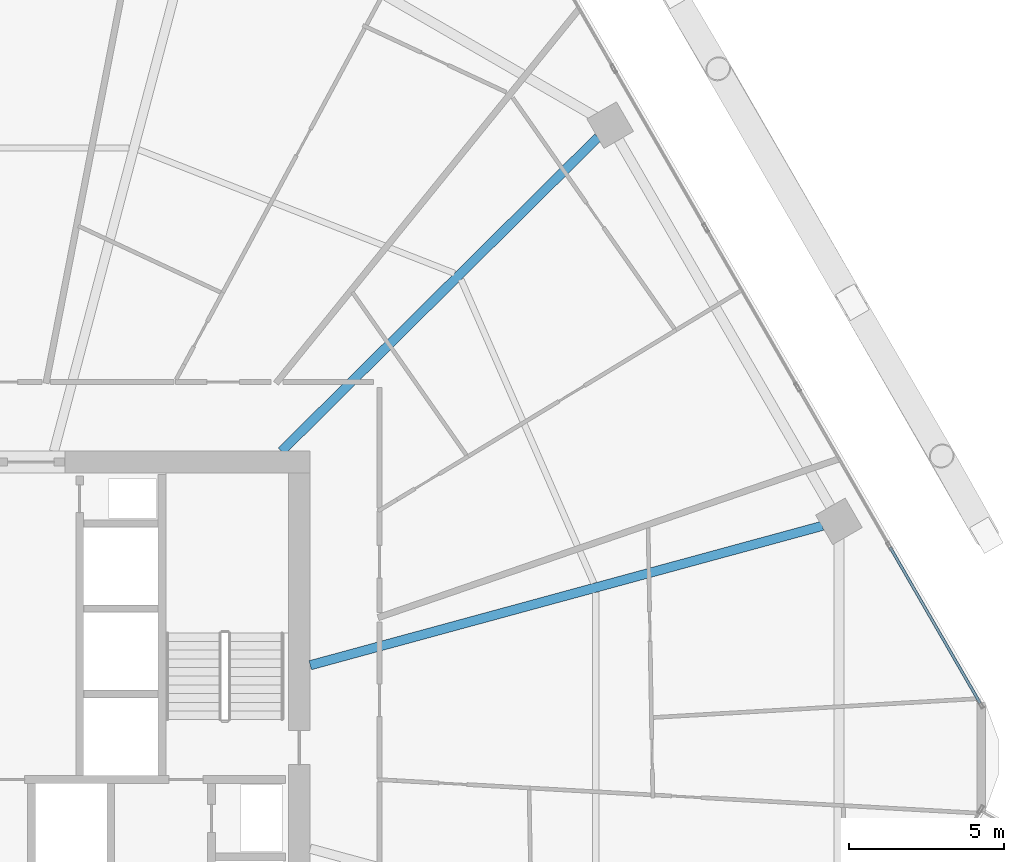
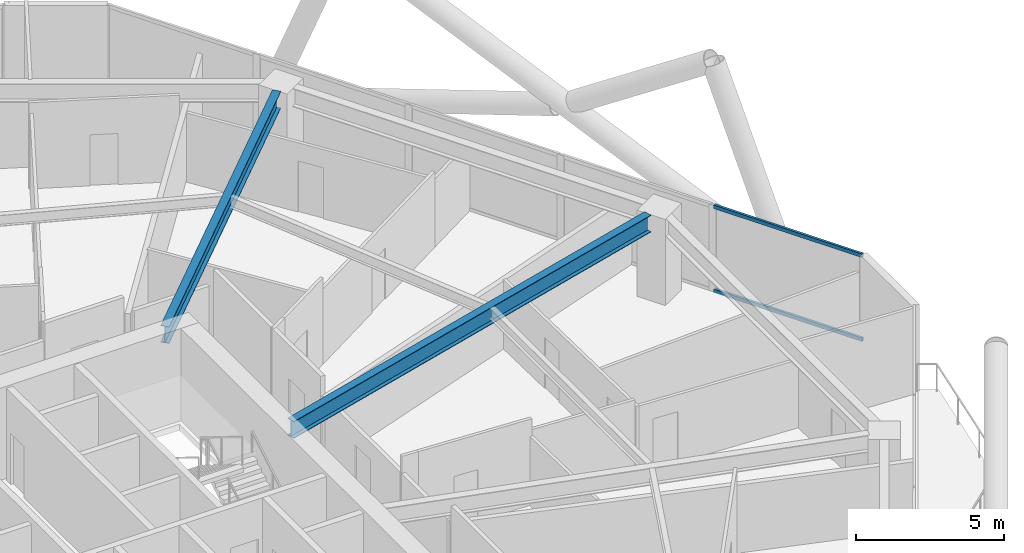
# One storey, part 21 of 36: 2 beams, 2 members, 1 element without a shape of its own.
"""IFC4 building model written with IfcOpenShell, lengths in metres."""

from ifc_helpers import new_model, si_unit, direction, frame, origin, origin_2d, place, context, subcontext, project, spatial, hollow_rectangle, i_section, extrude, material, material_profile, profile_set, type_object, element, aggregate, save


model = new_model("IFC4")

# Units and contexts
model_context = context("Model", 3, precision=1e-05, world=origin(), true_north=direction((0.0, 1.0)))
body_context = subcontext(model_context, "Body", "Model", "MODEL_VIEW")
ifc_project = project(units=[si_unit("LENGTHUNIT", "METRE"), si_unit("AREAUNIT", "SQUARE_METRE"), si_unit("VOLUMEUNIT", "CUBIC_METRE"), si_unit("PLANEANGLEUNIT", "RADIAN"), si_unit("MASSUNIT", "GRAM", prefix="KILO")], contexts=[model_context])

# Site, building, storey
site_placement = place(None, origin())
site = spatial("IfcSite", under=ifc_project, at=site_placement, CompositionType="ELEMENT")
building_placement = place(site_placement, origin())
building = spatial("IfcBuilding", under=site, at=building_placement, Name="Zuhravey Tower", CompositionType="ELEMENT")
storey_placement = place(building_placement, frame((0.0, 0.0, 107.60009765625)))
storey = spatial("IfcBuildingStorey", under=building, at=storey_placement, Name="L26", CompositionType="ELEMENT", Elevation=107.60009765625)

# Curtain wall, members
ifc_material_1 = material(Name="Thermally broken anodised aluminium", Category="aluminium")
curtain_wall_type = type_object("IfcCurtainWallType", Name="Zone 1-2 Residential Curtain Wall CW3", PredefinedType="NOTDEFINED", material=ifc_material_1)
curtain_wall_placement = place(storey_placement, origin())
curtain_wall = element("IfcCurtainWall", 1, at=curtain_wall_placement, inside=storey, type_object=curtain_wall_type, Name="L26 CW3 CW-L26-F1-1", PredefinedType="NOTDEFINED")
ifc_material_2 = material(Name="Anodised aluminium", Category="aluminium")
ifc_material_profile_1 = material_profile(ifc_material_2, hollow_rectangle(XDim=0.090087890625, YDim=0.14990234375, WallThickness=0.0048828125, at=origin_2d()), Name="ALU-RHS-90x150x5")
ifc_profile_set_1 = profile_set([ifc_material_profile_1], Name="Anodised aluminium")
member_type = type_object("IfcMemberType", Name="Curtain-Wall Transom 90x150", PredefinedType="USERDEFINED", material=ifc_profile_set_1)
member_1_placement = place(storey_placement, frame((65.541015625, 38.750244140625, 0.044921875), z_axis=(0.500024450573, -0.866011286779, 0.0), x_axis=(0.866011286779, 0.500024450573, 0.0)))
member_1 = element("IfcMember", 2, at=member_1_placement, type_object=member_type, Name="CW3 transom 5.1", ObjectType="TRANSOM", PredefinedType="USERDEFINED", context=body_context, shape_type="SweptSolid", body=[
    extrude(hollow_rectangle(XDim=0.090087890625, YDim=0.14990234375, WallThickness=0.0048828125, at=origin_2d()), origin(), (0.0, 0.0, 1.0), 5.784912109375),
])
member_2_placement = place(storey_placement, frame((65.541015625, 38.750244140625, 3.5048828125), z_axis=(0.500024450573, -0.866011286779, 0.0), x_axis=(0.866011286779, 0.500024450573, 0.0)))
member_2 = element("IfcMember", 3, at=member_2_placement, type_object=member_type, Name="CW3 transom 5.2", ObjectType="TRANSOM", PredefinedType="USERDEFINED", context=body_context, shape_type="SweptSolid", body=[
    extrude(hollow_rectangle(XDim=0.090087890625, YDim=0.14990234375, WallThickness=0.0048828125, at=origin_2d()), origin(), (0.0, 0.0, 1.0), 5.784912109375),
])
aggregate(curtain_wall, [member_1, member_2])

# Beams
ifc_material_3 = material(Name="Steel SM355", Category="steel")
ifc_material_profile_2 = material_profile(ifc_material_3, i_section(OverallWidth=0.300048828125, OverallDepth=0.699951171875, WebThickness=0.012939453125, FlangeThickness=0.02392578125, at=origin_2d()), Name="H-700x300x13x24")
ifc_profile_set_2 = profile_set([ifc_material_profile_2], Name="Steel SM355")
beam_type = type_object("IfcBeamType", Name="Radial Primary Girder H700x300", PredefinedType="BEAM", material=ifc_profile_set_2)
beam_1_placement = place(storey_placement, frame((46.85302734375, 34.954345703125, 3.199951171875), z_axis=(0.964893166225, 0.262642680791, 0.0), x_axis=(-0.262642680791, 0.964893166225, 0.0)))
element("IfcBeam", 4, at=beam_1_placement, inside=storey, type_object=beam_type, Name="L26 RG1 BM-L26-RAD-01", PredefinedType="BEAM", context=body_context, shape_type="SweptSolid", body=[
    extrude(i_section(OverallWidth=0.300048828125, OverallDepth=0.699951171875, WebThickness=0.012939453125, FlangeThickness=0.02392578125, at=origin_2d()), origin(), (0.0, 0.0, 1.0), 17.102783203125),
])
beam_2_placement = place(storey_placement, frame((45.931396484375, 41.85302734375, 3.199951171875), z_axis=(0.709906230344, 0.704296204816, 0.0), x_axis=(-0.704296204816, 0.709906230344, 0.0)))
element("IfcBeam", 5, at=beam_2_placement, inside=storey, type_object=beam_type, Name="L26 RG1 BM-L26-RAD-02", PredefinedType="BEAM", context=body_context, shape_type="SweptSolid", body=[
    extrude(i_section(OverallWidth=0.300048828125, OverallDepth=0.699951171875, WebThickness=0.012939453125, FlangeThickness=0.02392578125, at=origin_2d()), origin(), (0.0, 0.0, 1.0), 14.361083984375),
])

save(model, "model.ifc")
